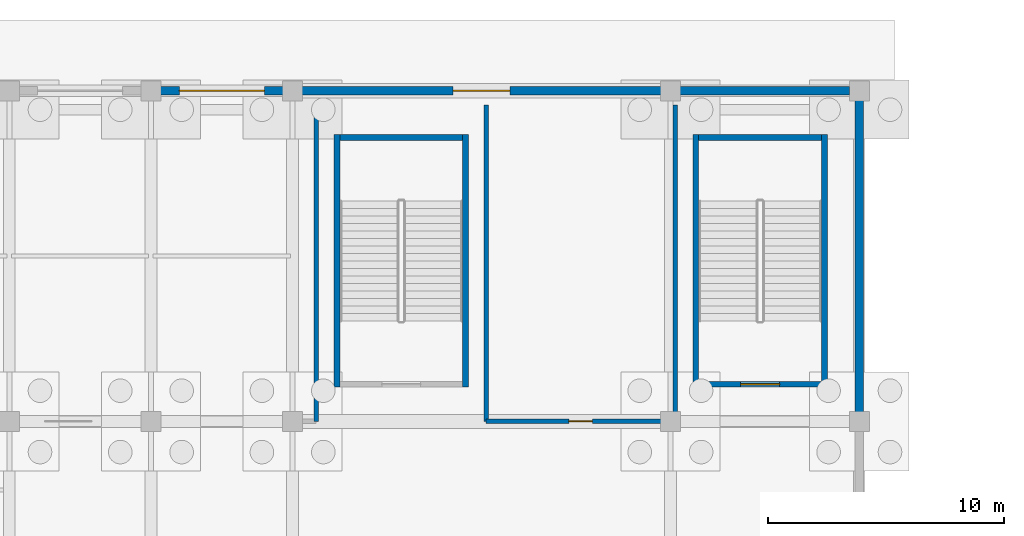
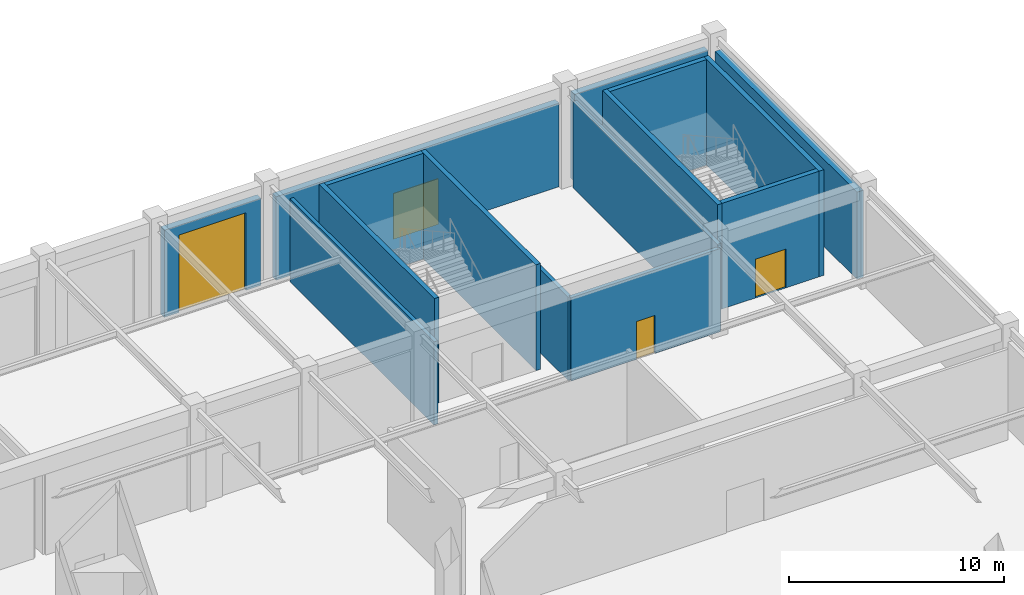
# One storey, part 95 of 121: 15 walls, 4 doors, 4 openings.
"""IFC4 building model written with IfcOpenShell, lengths in metres."""

import ifcopenshell
import ifcopenshell.guid

model = None  # the IFC model being written
_history = None  # IfcOwnerHistory: only IFC2X3 demands one
_inside = {}  # id of a spatial element -> (the spatial element, [elements in it])
_under = {}  # id of a project, library or spatial element -> (it, [spatial elements below it])
_declared = {}  # id of a project -> (the project, [libraries it declares])
_typed = {}  # id of a type object -> (the type object, [elements of that type])
_made_of = {}  # id of a material, layer set ... -> (it, [elements and type objects made of it])


def new_model(schema):
    """Start an empty IFC model of exactly this schema.

    Asked for "IFC4X3", IfcOpenShell would pick the latest addendum, in which some entities
    have other attributes; the version numbers below select the first issue.
    IFC2X3 requires an IfcOwnerHistory on every rooted entity: one is made here for all.
    """
    global model, _history
    if schema == "IFC4X3":
        model = ifcopenshell.file(schema_version=(4, 3, 0, 0))
    else:
        model = ifcopenshell.file(schema=schema)
    _inside.clear()
    _under.clear()
    _declared.clear()
    _typed.clear()
    _made_of.clear()
    _history = None
    if model.schema == "IFC2X3":
        org = make("IfcOrganization", Name="unknown")
        user = make(
            "IfcPersonAndOrganization",
            ThePerson=make("IfcPerson", FamilyName="unknown"),
            TheOrganization=org,
        )
        app = make(
            "IfcApplication",
            ApplicationDeveloper=org,
            Version="unknown",
            ApplicationFullName="unknown",
            ApplicationIdentifier="unknown",
        )
        _history = make(
            "IfcOwnerHistory",
            OwningUser=user,
            OwningApplication=app,
            ChangeAction="ADDED",
            CreationDate=0,
        )
    return model


def make(cls, **values):
    """One entity of the class cls with the attributes given. An attribute that is None is left unset."""
    return model.create_entity(
        cls, **{name: value for name, value in values.items() if value is not None}
    )


def rooted(cls, **values):
    """An entity with a GlobalId (a new one), such as an element, a storey or a relation."""
    return make(cls, GlobalId=ifcopenshell.guid.new(), OwnerHistory=_history, **values)


def si_unit(unit_type, name, prefix=None):
    """IfcSIUnit, for example si_unit("LENGTHUNIT", "METRE", prefix="MILLI")."""
    return make("IfcSIUnit", UnitType=unit_type, Prefix=prefix, Name=name)


def assignment(units):
    """IfcUnitAssignment: the units of a project."""
    return None if units is None else make("IfcUnitAssignment", Units=units)


def point(xyz):
    """IfcCartesianPoint."""
    return None if xyz is None else make("IfcCartesianPoint", Coordinates=xyz)


def direction(xyz):
    """IfcDirection."""
    return None if xyz is None else make("IfcDirection", DirectionRatios=xyz)


def frame(location, z_axis=None, x_axis=None):
    """IfcAxis2Placement3D, a coordinate frame: its origin and axes. An axis left out is left unset."""
    return make(
        "IfcAxis2Placement3D",
        Location=point(location),
        Axis=direction(z_axis),
        RefDirection=direction(x_axis),
    )


def frame_2d(location, x_axis=None):
    """IfcAxis2Placement2D, a coordinate frame in the plane: its origin and x axis."""
    return make(
        "IfcAxis2Placement2D", Location=point(location), RefDirection=direction(x_axis)
    )


def origin():
    """The frame at (0, 0, 0) with its axes left unset."""
    return frame((0.0, 0.0, 0.0))


def place(relative_to, where):
    """IfcLocalPlacement: puts the frame where relative to a parent placement (None: the world)."""
    return make(
        "IfcLocalPlacement", PlacementRelTo=relative_to, RelativePlacement=where
    )


def context(
    kind, dimensions, precision=None, world=None, true_north=None, identifier=None
):
    """IfcGeometricRepresentationContext, for example the 3D "Model" context."""
    return make(
        "IfcGeometricRepresentationContext",
        ContextIdentifier=identifier,
        ContextType=kind,
        CoordinateSpaceDimension=dimensions,
        Precision=precision,
        WorldCoordinateSystem=world,
        TrueNorth=true_north,
    )


def subcontext(parent, identifier, kind, view, scale=None):
    """IfcGeometricRepresentationSubContext, for example "Body" below "Model"."""
    return make(
        "IfcGeometricRepresentationSubContext",
        ContextIdentifier=identifier,
        ContextType=kind,
        ParentContext=parent,
        TargetScale=scale,
        TargetView=view,
    )


def project(units=None, contexts=None):
    """IfcProject with its units and contexts."""
    return rooted(
        "IfcProject",
        Name="project",
        RepresentationContexts=contexts,
        UnitsInContext=assignment(units),
    )


def spatial(cls, under=None, at=None, **own):
    """A site, building, storey or space (cls), placed at a placement, below another one or the project."""
    s = rooted(cls, ObjectPlacement=at, **own)
    if under is not None:
        _under.setdefault(under.id(), (under, []))[1].append(s)
    return s


def profile(cls, at=None, kind="AREA", **sizes):
    """A parametric profile (cls). Its sizes go by their IFC names, for example OverallWidth=200.0."""
    return make(cls, ProfileType=kind, Position=at, **sizes)


def rectangle(**sizes):
    """IfcRectangleProfileDef."""
    return profile("IfcRectangleProfileDef", **sizes)


def extrude(swept, where, along, depth):
    """IfcExtrudedAreaSolid: the profile swept, set in the frame where, extruded along a direction by depth."""
    return make(
        "IfcExtrudedAreaSolid",
        SweptArea=swept,
        Position=where,
        ExtrudedDirection=direction(along),
        Depth=depth,
    )


def shape(context_of_items, identifier, shape_type, items):
    """IfcShapeRepresentation: the items that make up one representation, for example the "Body"."""
    return make(
        "IfcShapeRepresentation",
        ContextOfItems=context_of_items,
        RepresentationIdentifier=identifier,
        RepresentationType=shape_type,
        Items=items,
    )


def material(Name=None, Category=None):
    """IfcMaterial."""
    return make("IfcMaterial", Name=Name, Category=Category)


def layer(
    of_material, thickness, ventilated=None, Name=None, Category=None, Priority=None
):
    """IfcMaterialLayer: one layer of a wall or slab, of a material (None: an air gap)."""
    return make(
        "IfcMaterialLayer",
        Material=of_material,
        LayerThickness=thickness,
        IsVentilated=ventilated,
        Name=Name,
        Category=Category,
        Priority=Priority,
    )


def layer_set(layers, Name=None):
    """IfcMaterialLayerSet."""
    return make("IfcMaterialLayerSet", MaterialLayers=layers, LayerSetName=Name)


def made_of(thing, what):
    """Note that an element or type object is made of a material, layer set ...; save() writes the relation."""
    if what is not None:
        _made_of.setdefault(what.id(), (what, []))[1].append(thing)
    return thing


def type_object(cls, material=None, **own):
    """A type object (cls), such as IfcWallType, which elements share."""
    return made_of(rooted(cls, **own), material)


def element(
    cls,
    number,
    at=None,
    inside=None,
    cuts=None,
    type_object=None,
    material=None,
    context=None,
    identifier="Body",
    shape_type=None,
    held_by="IfcProductDefinitionShape",
    body=None,
    shapes=None,
    **own,
):
    """One element of the class cls, such as IfcWall. Its Tag is "e" and its number.

    at: its placement. inside: the storey or other place that contains it. cuts: it is an
    opening in that element (IfcRelVoidsElement). A single representation is given by context,
    identifier, shape_type and body (its items); several are given by shapes. held_by: the class
    of the entity that holds the representations. save() writes the other relations.
    """
    e = rooted(cls, Tag="e%d" % number, ObjectPlacement=at, **own)
    if body is not None:
        shapes = [shape(context, identifier, shape_type, body)]
    if shapes is not None:
        e.Representation = make(held_by, Representations=shapes)
    if inside is not None:
        _inside.setdefault(inside.id(), (inside, []))[1].append(e)
    if cuts is not None:
        rooted(
            "IfcRelVoidsElement", RelatingBuildingElement=cuts, RelatedOpeningElement=e
        )
    if type_object is not None:
        _typed.setdefault(type_object.id(), (type_object, []))[1].append(e)
    return made_of(e, material)


def fill(opening, filler):
    """IfcRelFillsElement: the door or window that sits in an opening."""
    return rooted(
        "IfcRelFillsElement",
        RelatingOpeningElement=opening,
        RelatedBuildingElement=filler,
    )


def aggregate(whole, parts):
    """IfcRelAggregates: a whole, such as a stair, and the parts it consists of."""
    return rooted("IfcRelAggregates", RelatingObject=whole, RelatedObjects=parts)


def save(model, path):
    """Write the relations noted so far, then the file.

    IfcRelAggregates (storeys below a building ...), IfcRelContainedInSpatialStructure (elements
    in a storey), IfcRelDefinesByType, IfcRelAssociatesMaterial and IfcRelDeclares: one each for
    every whole, place, type object, material and project.
    """
    for whole, parts in _under.values():
        aggregate(whole, parts)
    for where, things in _inside.values():
        rooted(
            "IfcRelContainedInSpatialStructure",
            RelatedElements=things,
            RelatingStructure=where,
        )
    for kind, things in _typed.values():
        rooted("IfcRelDefinesByType", RelatedObjects=things, RelatingType=kind)
    for what, things in _made_of.values():
        rooted("IfcRelAssociatesMaterial", RelatedObjects=things, RelatingMaterial=what)
    for by, libraries in _declared.values():
        rooted("IfcRelDeclares", RelatingContext=by, RelatedDefinitions=libraries)
    model.write(path)


model = new_model("IFC4")

# Units and contexts
model_context = context("Model", 3, precision=1e-05, world=origin(), true_north=direction((0.0, 1.0)))
body_context = subcontext(model_context, "Body", "Model", "MODEL_VIEW")
ifc_project = project(units=[si_unit("LENGTHUNIT", "METRE"), si_unit("AREAUNIT", "SQUARE_METRE"), si_unit("VOLUMEUNIT", "CUBIC_METRE"), si_unit("PLANEANGLEUNIT", "RADIAN"), si_unit("MASSUNIT", "GRAM", prefix="KILO")], contexts=[model_context])

# Site, building, storey
site_placement = place(None, origin())
site = spatial("IfcSite", under=ifc_project, at=site_placement, CompositionType="ELEMENT")
building_placement = place(site_placement, origin())
building = spatial("IfcBuilding", under=site, at=building_placement, Name="Cuetzalor Civic Arena", CompositionType="ELEMENT")
storey_placement = place(building_placement, origin())
storey = spatial("IfcBuildingStorey", under=building, at=storey_placement, Name="L00", CompositionType="ELEMENT", Elevation=0.0)

# Wall, opening, door
ifc_material_1 = material(Name="Dark volcanic basalt ashlar on Concrete C35/45", Category="masonry")
ifc_layer_1 = layer(ifc_material_1, 0.35009765625)
ifc_layer_set_1 = layer_set([ifc_layer_1], Name="Dark volcanic basalt ashlar on Concrete C35/45")
wall_type_1 = type_object("IfcWallType", Name="BasaltAshlarWall_350", PredefinedType="SOLIDWALL", material=ifc_layer_set_1)
wall_1_placement = place(storey_placement, frame((42.406982421875, 75.5, 0.0), z_axis=(0.0, 0.0, 1.0), x_axis=(1.0, 0.0, 0.0)))
wall_1 = element("IfcWall", 1, at=wall_1_placement, inside=storey, type_object=wall_type_1, Name="North Basalt Facade Wall L00-198", PredefinedType="SOLIDWALL", context=body_context, shape_type="SweptSolid", body=[
    extrude(rectangle(XDim=5.18603515625, YDim=0.35009765625, at=frame_2d((2.593017578125, 0.0))), origin(), (0.0, 0.0, 1.0), 4.93994140625),
])
opening_1_placement = place(wall_1_placement, frame((0.79296875, 0.0, 0.0)))
opening_1 = element("IfcOpeningElement", 2, at=opening_1_placement, cuts=wall_1, Name="Opening LDK-02", PredefinedType="OPENING", context=body_context, shape_type="SweptSolid", body=[
    extrude(rectangle(XDim=3.60009765625, YDim=4.39990234375, at=frame_2d((1.800048828125, 2.199951171875))), frame((0.0, 0.18505859375, 0.0), z_axis=(0.0, -1.0, 0.0), x_axis=(1.0, 0.0, 0.0)), (0.0, 0.0, 1.0), 0.3701171875),
])
ifc_material_2 = material(Name="Thermally broken bronze steel and laminated glass", Category="steel")
door_type_1 = type_object("IfcDoorType", Name="LoadingDockShutter_3600x4400", OperationType="ROLLINGUP", PredefinedType="DOOR", material=ifc_material_2)
door_1_placement = place(opening_1_placement, origin())
door_1 = element("IfcDoor", 3, at=door_1_placement, inside=storey, type_object=door_type_1, Name="Loading Dock Bay Shutter 11-1", OperationType="ROLLINGUP", OverallHeight=4.39990234375, OverallWidth=3.60009765625, PredefinedType="DOOR", context=body_context, shape_type="SweptSolid", body=[
    extrude(rectangle(XDim=3.60009765625, YDim=4.39990234375, at=frame_2d((1.800048828125, 2.199951171875))), frame((0.0, 0.02490234375, 0.0), z_axis=(0.0, -1.0, 0.0), x_axis=(1.0, 0.0, 0.0)), (0.0, 0.0, 1.0), 0.050048828125),
])
fill(opening_1, door_1)

wall_2_placement = place(storey_placement, frame((48.406982421875, 75.5, 0.0), z_axis=(0.0, 0.0, 1.0), x_axis=(1.0, 0.0, 0.0)))
wall_2 = element("IfcWall", 4, at=wall_2_placement, inside=storey, type_object=wall_type_1, Name="North Basalt Facade Wall L00-199", PredefinedType="SOLIDWALL", context=body_context, shape_type="SweptSolid", body=[
    extrude(rectangle(XDim=15.18603515625, YDim=0.35009765625, at=frame_2d((7.593017578125, 0.0))), origin(), (0.0, 0.0, 1.0), 4.739990234375),
])
opening_2_placement = place(wall_2_placement, frame((6.39306640625, 0.0, 0.0)))
opening_2 = element("IfcOpeningElement", 5, at=opening_2_placement, cuts=wall_2, Name="Opening ED-08", PredefinedType="OPENING", context=body_context, shape_type="SweptSolid", body=[
    extrude(rectangle(XDim=2.39990234375, YDim=2.60009765625, at=frame_2d((1.199951171875, 1.300048828125))), frame((0.0, 0.18505859375, 0.0), z_axis=(0.0, -1.0, 0.0), x_axis=(1.0, 0.0, 0.0)), (0.0, 0.0, 1.0), 0.3701171875),
])
ifc_material_3 = material(Name="Thermally broken bronze steel and laminated glass", Category="steel")
door_type_2 = type_object("IfcDoorType", Name="PedestrianExitPortal_2400x2600", OperationType="DOUBLE_DOOR_SINGLE_SWING", PredefinedType="DOOR", material=ifc_material_3)
door_2_placement = place(opening_2_placement, origin())
door_2 = element("IfcDoor", 6, at=door_2_placement, inside=storey, type_object=door_type_2, Name="Main entrance E20", OperationType="DOUBLE_DOOR_SINGLE_SWING", OverallHeight=2.60009765625, OverallWidth=2.39990234375, PredefinedType="DOOR", context=body_context, shape_type="SweptSolid", body=[
    extrude(rectangle(XDim=2.39990234375, YDim=2.60009765625, at=frame_2d((1.199951171875, 1.300048828125))), frame((0.0, 0.02490234375, 0.0), z_axis=(0.0, -1.0, 0.0), x_axis=(1.0, 0.0, 0.0)), (0.0, 0.0, 1.0), 0.050048828125),
])
fill(opening_2, door_2)

# Walls
wall_3_placement = place(storey_placement, frame((64.406982421875, 75.5, 0.0), z_axis=(0.0, 0.0, 1.0), x_axis=(1.0, 0.0, 0.0)))
element("IfcWall", 7, at=wall_3_placement, inside=storey, type_object=wall_type_1, Name="North Basalt Facade Wall L00-200", PredefinedType="SOLIDWALL", context=body_context, shape_type="SweptSolid", body=[
    extrude(rectangle(XDim=7.18603515625, YDim=0.35009765625, at=frame_2d((3.593017578125, 0.0))), origin(), (0.0, 0.0, 1.0), 4.93994140625),
])
wall_4_placement = place(storey_placement, frame((72.0, 75.093017578125, 0.0), z_axis=(0.0, 0.0, 1.0), x_axis=(0.0, -1.0, 0.0)))
element("IfcWall", 8, at=wall_4_placement, inside=storey, type_object=wall_type_1, Name="North Wing East Basalt Wall L00-238", PredefinedType="SOLIDWALL", context=body_context, shape_type="SweptSolid", body=[
    extrude(rectangle(XDim=13.18603515625, YDim=0.35009765625, at=frame_2d((6.593017578125, 0.0))), origin(), (0.0, 0.0, 1.0), 4.93994140625),
])
ifc_material_4 = material(Name="Concrete C40/50", Category="concrete")
ifc_layer_2 = layer(ifc_material_4, 0.25)
ifc_layer_set_2 = layer_set([ifc_layer_2], Name="Concrete C40/50")
wall_type_2 = type_object("IfcWallType", Name="ConcreteCoreShearWall_250", PredefinedType="SHEAR", material=ifc_layer_set_2)
wall_5_placement = place(storey_placement, frame((49.875, 62.949951171875, 0.0), z_axis=(0.0, 0.0, 1.0), x_axis=(0.0, 1.0, 0.0)))
element("IfcWall", 9, at=wall_5_placement, inside=storey, type_object=wall_type_2, Name="Stair Core Shear Wall ST-27-L00-W", PredefinedType="SHEAR", context=body_context, shape_type="SweptSolid", body=[
    extrude(rectangle(XDim=10.699951171875, YDim=0.25, at=frame_2d((5.35009765625, 0.0))), origin(), (0.0, 0.0, 1.0), 6.0),
])
wall_6_placement = place(storey_placement, frame((50.0, 73.52490234375, 0.0), z_axis=(0.0, 0.0, 1.0), x_axis=(1.0, 0.0, 0.0)))
element("IfcWall", 10, at=wall_6_placement, inside=storey, type_object=wall_type_2, Name="Stair Core Shear Wall ST-27-L00-N", PredefinedType="SHEAR", context=body_context, shape_type="SweptSolid", body=[
    extrude(rectangle(XDim=5.199951171875, YDim=0.25, at=frame_2d((2.60009765625, 0.0))), origin(), (0.0, 0.0, 1.0), 6.0),
])
for number, where, z_axis, x_axis, name in (
    (11, (55.324951171875, 73.64990234375, 0.0), (0.0, 0.0, 1.0), (0.0, -1.0, 0.0), "Stair Core Shear Wall ST-27-L00-E"),
    (12, (65.074951171875, 62.949951171875, 0.0), (0.0, 0.0, 1.0), (0.0, 1.0, 0.0), "Stair Core Shear Wall ST-28-L00-W"),
):
    element("IfcWall", number, at=place(storey_placement, frame(where, z_axis=z_axis, x_axis=x_axis)), inside=storey, type_object=wall_type_2, Name=name, PredefinedType="SHEAR", context=body_context, shape_type="SweptSolid", body=[
        extrude(rectangle(XDim=10.699951171875, YDim=0.25, at=frame_2d((5.35009765625, 0.0))), origin(), (0.0, 0.0, 1.0), 6.0),
    ])
wall_7_placement = place(storey_placement, frame((65.199951171875, 73.52490234375, 0.0), z_axis=(0.0, 0.0, 1.0), x_axis=(1.0, 0.0, 0.0)))
element("IfcWall", 13, at=wall_7_placement, inside=storey, type_object=wall_type_2, Name="Stair Core Shear Wall ST-28-L00-N", PredefinedType="SHEAR", context=body_context, shape_type="SweptSolid", body=[
    extrude(rectangle(XDim=5.199951171875, YDim=0.25, at=frame_2d((2.60009765625, 0.0))), origin(), (0.0, 0.0, 1.0), 6.0),
])
wall_8_placement = place(storey_placement, frame((70.52490234375, 73.64990234375, 0.0), z_axis=(0.0, 0.0, 1.0), x_axis=(0.0, -1.0, 0.0)))
element("IfcWall", 14, at=wall_8_placement, inside=storey, type_object=wall_type_2, Name="Stair Core Shear Wall ST-28-L00-E", PredefinedType="SHEAR", context=body_context, shape_type="SweptSolid", body=[
    extrude(rectangle(XDim=10.699951171875, YDim=0.25, at=frame_2d((5.35009765625, 0.0))), origin(), (0.0, 0.0, 1.0), 6.0),
])

# Wall, opening, door
wall_9_placement = place(storey_placement, frame((70.39990234375, 63.074951171875, 0.0), z_axis=(0.0, 0.0, 1.0), x_axis=(-1.0, 0.0, 0.0)))
wall_9 = element("IfcWall", 15, at=wall_9_placement, inside=storey, type_object=wall_type_2, Name="Stair Core Shear Wall ST-28-L00-S", PredefinedType="SHEAR", context=body_context, shape_type="SweptSolid", body=[
    extrude(rectangle(XDim=5.199951171875, YDim=0.25, at=frame_2d((2.60009765625, 0.0))), origin(), (0.0, 0.0, 1.0), 6.0),
])
opening_3_placement = place(wall_9_placement, frame((1.77490234375, 0.0, 0.0)))
opening_3 = element("IfcOpeningElement", 16, at=opening_3_placement, cuts=wall_9, Name="Opening FD-04", PredefinedType="OPENING", context=body_context, shape_type="SweptSolid", body=[
    extrude(rectangle(XDim=1.64990234375, YDim=2.199951171875, at=frame_2d((0.824951171875, 1.10009765625))), frame((0.0, 0.135009765625, 0.0), z_axis=(0.0, -1.0, 0.0), x_axis=(1.0, 0.0, 0.0)), (0.0, 0.0, 1.0), 0.27001953125),
])
ifc_material_5 = material(Name="Fire-rated steel stair exit double door", Category="steel")
door_type_3 = type_object("IfcDoorType", Name="StairFireDoubleDoor_1650x2200", OperationType="DOUBLE_DOOR_SINGLE_SWING", PredefinedType="DOOR", material=ifc_material_5)
door_3_placement = place(opening_3_placement, origin())
door_3 = element("IfcDoor", 17, at=door_3_placement, inside=storey, type_object=door_type_3, Name="Fire Stair Door ST-28 L00", OperationType="DOUBLE_DOOR_SINGLE_SWING", OverallHeight=2.199951171875, OverallWidth=1.64990234375, PredefinedType="DOOR", context=body_context, shape_type="SweptSolid", body=[
    extrude(rectangle(XDim=1.64990234375, YDim=2.199951171875, at=frame_2d((0.824951171875, 1.10009765625))), frame((0.0, 0.02490234375, 0.0), z_axis=(0.0, -1.0, 0.0), x_axis=(1.0, 0.0, 0.0)), (0.0, 0.0, 1.0), 0.050048828125),
])
fill(opening_3, door_3)

# Wall
ifc_material_6 = material(Name="Fire-rated masonry and gypsum partition", Category="masonry")
ifc_layer_3 = layer(ifc_material_6, 0.199951171875)
ifc_layer_set_3 = layer_set([ifc_layer_3], Name="Fire-rated masonry and gypsum partition")
wall_type_3 = type_object("IfcWallType", Name="FireCompartmentWall_200", PredefinedType="PARTITIONING", material=ifc_layer_set_3)
wall_10_placement = place(storey_placement, frame((49.0, 74.89990234375, 0.0), z_axis=(0.0, 0.0, 1.0), x_axis=(0.0, -1.0, 0.0)))
element("IfcWall", 18, at=wall_10_placement, inside=storey, type_object=wall_type_3, Name="Interior Partition IWALL:L00:0172", PredefinedType="PARTITIONING", context=body_context, shape_type="SweptSolid", body=[
    extrude(rectangle(XDim=13.39990234375, YDim=0.199951171875, at=frame_2d((6.699951171875, 0.0))), origin(), (0.0, 0.0, 1.0), 4.72509765625),
])

# Wall, opening, door
wall_11_placement = place(storey_placement, frame((64.199951171875, 61.5, 0.0), z_axis=(0.0, 0.0, 1.0), x_axis=(-1.0, 0.0, 0.0)))
wall_11 = element("IfcWall", 19, at=wall_11_placement, inside=storey, type_object=wall_type_3, Name="Interior Partition IWALL:L00:0173", PredefinedType="PARTITIONING", context=body_context, shape_type="SweptSolid", body=[
    extrude(rectangle(XDim=8.0, YDim=0.199951171875, at=frame_2d((4.0, 0.0))), origin(), (0.0, 0.0, 1.0), 4.72509765625),
])
opening_4_placement = place(wall_11_placement, frame((3.5, 0.0, 0.0)))
opening_4 = element("IfcOpeningElement", 20, at=opening_4_placement, cuts=wall_11, Name="Opening FD-01", PredefinedType="OPENING", context=body_context, shape_type="SweptSolid", body=[
    extrude(rectangle(XDim=1.0, YDim=2.14990234375, at=frame_2d((0.5, 1.074951171875))), frame((0.0, 0.10986328125, 0.0), z_axis=(0.0, -1.0, 0.0), x_axis=(1.0, 0.0, 0.0)), (0.0, 0.0, 1.0), 0.219970703125),
])
ifc_material_7 = material(Name="Fire-rated insulated steel door", Category="steel")
door_type_4 = type_object("IfcDoorType", Name="FireSingleDoor_1000x2150", OperationType="NOTDEFINED", PredefinedType="DOOR", material=ifc_material_7)
door_4_placement = place(opening_4_placement, origin())
door_4 = element("IfcDoor", 21, at=door_4_placement, inside=storey, type_object=door_type_4, Name="Door to Electrical Substation", OperationType="SINGLE_SWING_LEFT", OverallHeight=2.14990234375, OverallWidth=1.0, PredefinedType="DOOR", context=body_context, shape_type="SweptSolid", body=[
    extrude(rectangle(XDim=1.0, YDim=2.14990234375, at=frame_2d((0.5, 1.074951171875))), frame((0.0, 0.02490234375, 0.0), z_axis=(0.0, -1.0, 0.0), x_axis=(1.0, 0.0, 0.0)), (0.0, 0.0, 1.0), 0.050048828125),
])
fill(opening_4, door_4)

# Walls
wall_12_placement = place(storey_placement, frame((56.199951171875, 61.5, 0.0), z_axis=(0.0, 0.0, 1.0), x_axis=(0.0, 1.0, 0.0)))
element("IfcWall", 22, at=wall_12_placement, inside=storey, type_object=wall_type_3, Name="Interior Partition IWALL:L00:0174", PredefinedType="PARTITIONING", context=body_context, shape_type="SweptSolid", body=[
    extrude(rectangle(XDim=13.39990234375, YDim=0.199951171875, at=frame_2d((6.699951171875, 0.0))), origin(), (0.0, 0.0, 1.0), 4.72509765625),
])
wall_13_placement = place(storey_placement, frame((64.199951171875, 74.89990234375, 0.0), z_axis=(0.0, 0.0, 1.0), x_axis=(0.0, -1.0, 0.0)))
element("IfcWall", 23, at=wall_13_placement, inside=storey, type_object=wall_type_3, Name="Interior Partition IWALL:L00:0175", PredefinedType="PARTITIONING", context=body_context, shape_type="SweptSolid", body=[
    extrude(rectangle(XDim=13.39990234375, YDim=0.199951171875, at=frame_2d((6.699951171875, 0.0))), origin(), (0.0, 0.0, 1.0), 4.925048828125),
])

save(model, "model.ifc")
